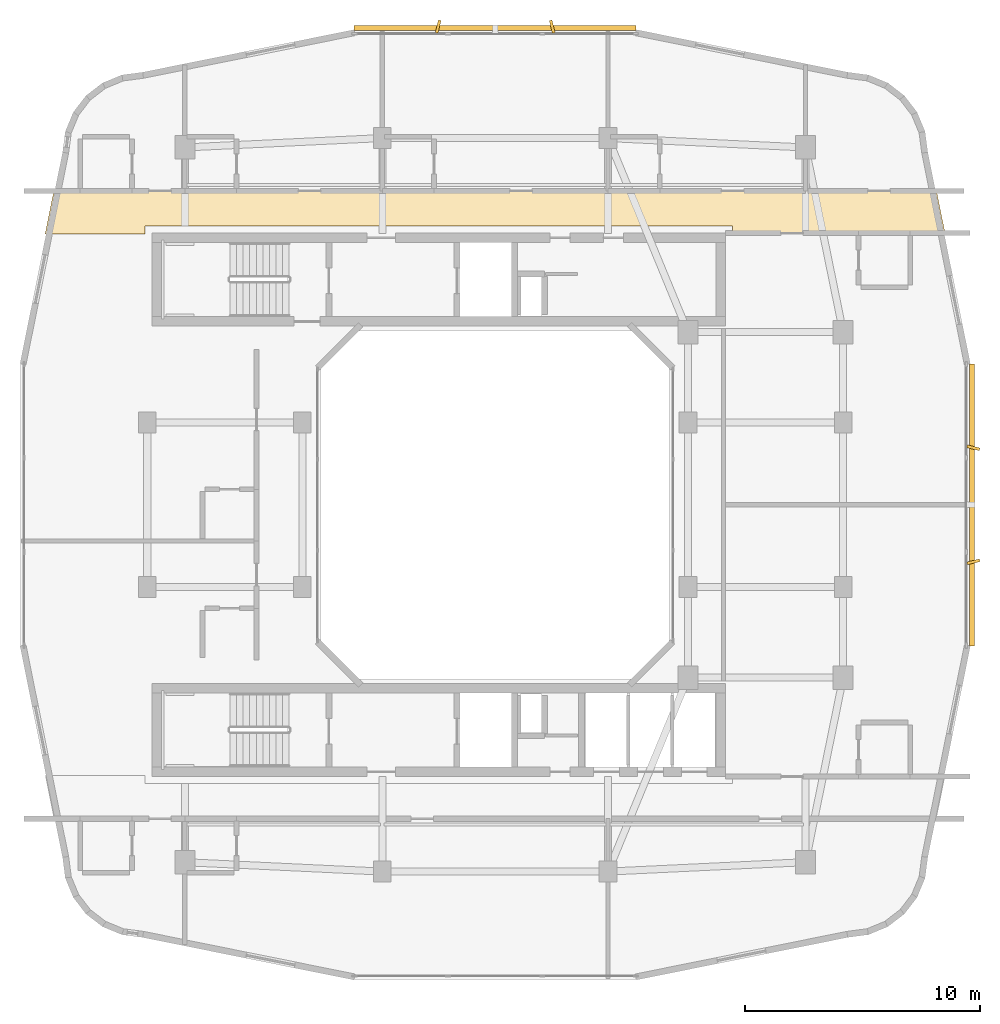
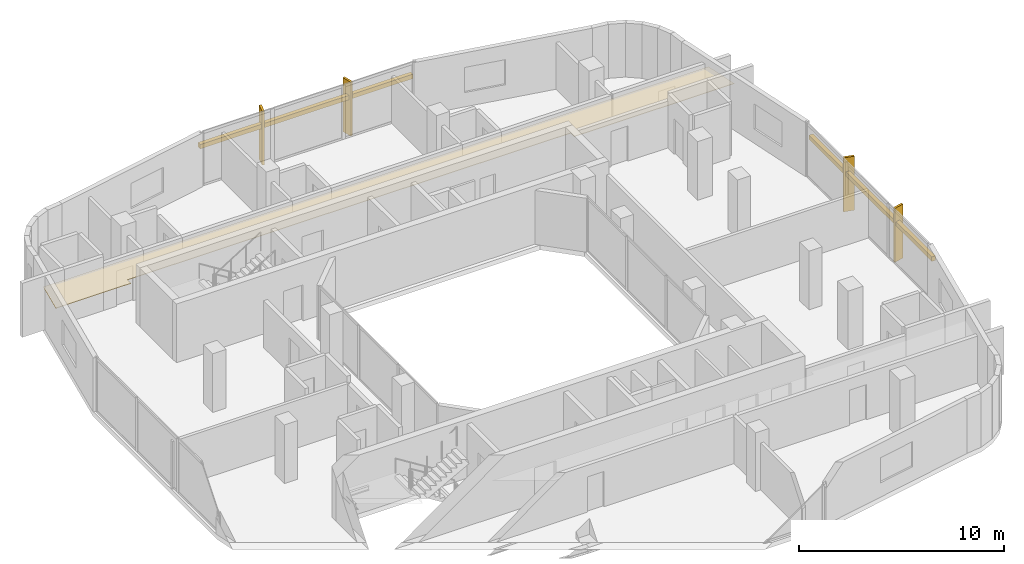
# One storey, part 14 of 14: 6 shading devices, 1 covering.
"""IFC4 building model written with IfcOpenShell, lengths in metres."""

from ifc_helpers import new_model, si_unit, derived_unit, direction, frame, origin, origin_2d, place, context, subcontext, project, spatial, polyline, rectangle, outline, extrude, material, layer, layer_set, type_object, element, save


model = new_model("IFC4")

# Units and contexts
model_context = context("Model", 3, precision=1e-05, world=origin(), true_north=direction((0.0, 1.0)))
body_context = subcontext(model_context, "Body", "Model", "MODEL_VIEW")
ifc_project = project(units=[si_unit("LENGTHUNIT", "METRE"), si_unit("AREAUNIT", "SQUARE_METRE"), si_unit("VOLUMEUNIT", "CUBIC_METRE"), si_unit("PLANEANGLEUNIT", "RADIAN"), si_unit("MASSUNIT", "GRAM", prefix="KILO"), derived_unit("THERMALTRANSMITTANCEUNIT", [(si_unit("POWERUNIT", "WATT"), 1), (si_unit("LENGTHUNIT", "METRE"), -2), (si_unit("THERMODYNAMICTEMPERATUREUNIT", "KELVIN"), -1)])], contexts=[model_context])

# Site, building, storey
site_placement = place(None, origin())
site = spatial("IfcSite", under=ifc_project, at=site_placement, CompositionType="ELEMENT")
building_placement = place(site_placement, origin())
building = spatial("IfcBuilding", under=site, at=building_placement, Name="Kivonza Crest Hotel", CompositionType="ELEMENT")
storey_placement = place(building_placement, frame((0.0, 0.0, 152.0)))
storey = spatial("IfcBuildingStorey", under=building, at=storey_placement, Name="L41", CompositionType="ELEMENT", Elevation=152.0)

# Covering
ifc_material_1 = material(Name="Moisture-resistant gypsum plasterboard ceiling", Category="gypsum")
ifc_layer = layer(ifc_material_1, 0.030029296875)
ifc_layer_set = layer_set([ifc_layer], Name="Moisture-resistant gypsum plasterboard ceiling")
covering_type = type_object("IfcCoveringType", Name="CV-CEIL-GYP", PredefinedType="CEILING", material=ifc_layer_set)
covering_placement = place(storey_placement, frame((0.0, 0.0, 2.449951171875)))
element("IfcCovering", 1, at=covering_placement, inside=storey, type_object=covering_type, Name="L41 Hotel North Guest Corridor suspended ceiling", PredefinedType="CEILING", context=body_context, shape_type="SweptSolid", body=[
    extrude(outline(polyline([(2.235107421875, 38.389892578125), (1.85791015625, 36.52001953125), (6.10009765625, 36.52001953125), (6.10009765625, 36.860107421875), (31.10009765625, 36.860107421875), (31.10009765625, 36.52001953125), (40.14208984375, 36.52001953125), (39.764892578125, 38.389892578125), (2.235107421875, 38.389892578125)])), origin(), (0.0, 0.0, 1.0), 0.030029296875),
])

# Shading devices
ifc_material_2 = material(Name="Kiln-fired Nairobi red-ochre terracotta", Category="masonry")
shading_device_type_1 = type_object("IfcShadingDeviceType", Name="SH-BAGUETTE-300", PredefinedType="USERDEFINED", material=ifc_material_2)
for number, where, z_axis, x_axis, name in (
    (2, (41.280029296875, 25.0, 2.1240234375), (0.0, 0.0, 1.0), (0.0, 1.0, 0.0), "L41 terracotta baguette screen CW-T1-L41-17"),
    (3, (21.0, 45.280029296875, 2.1240234375), (0.0, 0.0, 1.0), (-1.0, 0.0, 0.0), "L41 terracotta baguette screen CW-T1-L41-26"),
):
    element("IfcShadingDevice", number, at=place(storey_placement, frame(where, z_axis=z_axis, x_axis=x_axis)), inside=storey, type_object=shading_device_type_1, Name=name, ObjectType="BAGUETTE", PredefinedType="USERDEFINED", context=body_context, shape_type="SweptSolid", body=[
        extrude(rectangle(XDim=12.0, YDim=0.219970703125, at=origin_2d()), origin(), (0.0, 0.0, 1.0), 0.260009765625),
    ])
ifc_material_3 = material(Name="Kiln-fired terracotta over extruded aluminium spine", Category="masonry")
shading_device_type_2 = type_object("IfcShadingDeviceType", Name="SH-FIN-550", PredefinedType="USERDEFINED", material=ifc_material_3)
for number, where, z_axis, x_axis, name in (
    (4, (41.340087890625, 22.575927734375, 0.0), (0.0, 0.0, 1.0), (-0.2419218956, 0.970295726276, 0.0), "L41 vertical solar shading fin CW-T1-L41-17-1"),
    (5, (41.340087890625, 27.424072265625, 0.0), (0.0, 0.0, 1.0), (0.2419218956, 0.970295726276, 0.0), "L41 vertical solar shading fin CW-T1-L41-17-2"),
    (6, (23.424072265625, 45.340087890625, 0.0), (0.0, 0.0, 1.0), (-0.970295726276, -0.2419218956, 0.0), "L41 vertical solar shading fin CW-T1-L41-26-1"),
    (7, (18.575927734375, 45.340087890625, 0.0), (0.0, 0.0, 1.0), (-0.970295726276, 0.2419218956, 0.0), "L41 vertical solar shading fin CW-T1-L41-26-2"),
):
    element("IfcShadingDevice", number, at=place(storey_placement, frame(where, z_axis=z_axis, x_axis=x_axis)), inside=storey, type_object=shading_device_type_2, Name=name, ObjectType="FIN", PredefinedType="USERDEFINED", context=body_context, shape_type="SweptSolid", body=[
        extrude(rectangle(XDim=0.1201171875, YDim=0.550048828125, at=origin_2d()), origin(), (0.0, 0.0, 1.0), 3.219970703125),
    ])

save(model, "model.ifc")
